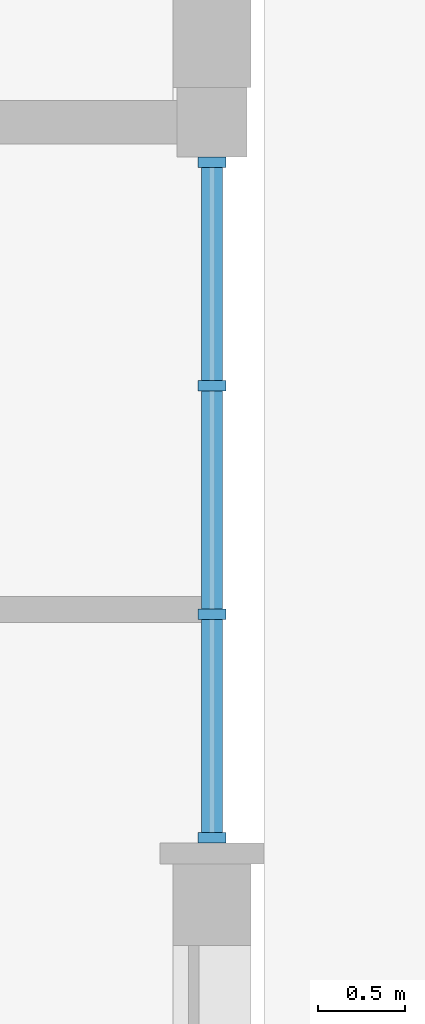
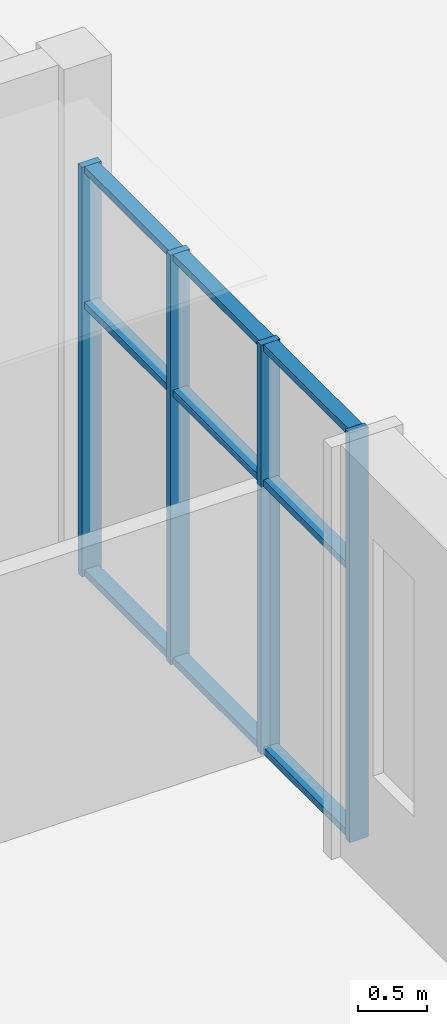
# One storey, part 25 of 60: 13 members, 1 element without a shape of its own.
"""IFC4 building model written with IfcOpenShell, lengths in metres."""

from ifc_helpers import new_model, si_unit, direction, frame, origin, origin_2d, place, context, subcontext, project, spatial, rectangle, extrude, material, material_profile, profile_set, type_object, element, aggregate, save


model = new_model("IFC4")

# Units and contexts
model_context = context("Model", 3, precision=1e-05, world=origin(), true_north=direction((0.0, 1.0)))
body_context = subcontext(model_context, "Body", "Model", "MODEL_VIEW")
ifc_project = project(units=[si_unit("LENGTHUNIT", "METRE"), si_unit("AREAUNIT", "SQUARE_METRE"), si_unit("VOLUMEUNIT", "CUBIC_METRE"), si_unit("PLANEANGLEUNIT", "RADIAN"), si_unit("MASSUNIT", "GRAM", prefix="KILO")], contexts=[model_context])

# Site, building, storey
site_placement = place(None, origin())
site = spatial("IfcSite", under=ifc_project, at=site_placement, CompositionType="ELEMENT")
building_placement = place(site_placement, origin())
building = spatial("IfcBuilding", under=site, at=building_placement, Name="Fescue Hill Polytechnic", CompositionType="ELEMENT")
storey_placement = place(building_placement, frame((0.0, 0.0, 4.5)))
storey = spatial("IfcBuildingStorey", under=building, at=storey_placement, Name="L01", CompositionType="ELEMENT", Elevation=4.5)

# Curtain wall, members
ifc_material_1 = material(Name="Glass", Category="glass")
curtain_wall_type = type_object("IfcCurtainWallType", Name="Curtain wall structural glazing", PredefinedType="NOTDEFINED", material=ifc_material_1)
curtain_wall_placement = place(storey_placement, origin())
curtain_wall = element("IfcCurtainWall", 1, at=curtain_wall_placement, inside=storey, type_object=curtain_wall_type, Name="CW-L01-V2-X1", PredefinedType="NOTDEFINED")
ifc_material_2 = material(Name="Powder-coated aluminium", Category="aluminium")
ifc_material_profile_1 = material_profile(ifc_material_2, rectangle(XDim=0.159912109375, YDim=0.06005859375, at=origin_2d()), Name="Mullion aluminium 60x160")
ifc_profile_set_1 = profile_set([ifc_material_profile_1], Name="Powder-coated aluminium")
member_type_1 = type_object("IfcMemberType", Name="Mullion aluminium 60x160", PredefinedType="MULLION", material=ifc_profile_set_1)
member_1_placement = place(storey_placement, frame((142.800048828125, 88.2900390625, 0.0), z_axis=(0.0, 0.0, 1.0), x_axis=(-1.0, 0.0, 0.0)))
member_1 = element("IfcMember", 2, at=member_1_placement, type_object=member_type_1, Name="CW120 mullion 1", PredefinedType="MULLION", context=body_context, shape_type="SweptSolid", body=[
    extrude(rectangle(XDim=0.159912109375, YDim=0.06005859375, at=origin_2d()), origin(), (0.0, 0.0, 1.0), 3.6298828125),
])
member_2_placement = place(storey_placement, frame((142.800048828125, 89.5732421875, 0.0), z_axis=(0.0, 0.0, 1.0), x_axis=(-1.0, 0.0, 0.0)))
member_2 = element("IfcMember", 3, at=member_2_placement, type_object=member_type_1, Name="CW120 mullion 2", PredefinedType="MULLION", context=body_context, shape_type="SweptSolid", body=[
    extrude(rectangle(XDim=0.159912109375, YDim=0.06005859375, at=origin_2d()), origin(), (0.0, 0.0, 1.0), 3.6298828125),
])
member_3_placement = place(storey_placement, frame((142.800048828125, 90.88671875, 0.0), z_axis=(0.0, 0.0, 1.0), x_axis=(-1.0, 0.0, 0.0)))
member_3 = element("IfcMember", 4, at=member_3_placement, type_object=member_type_1, Name="CW120 mullion 3", PredefinedType="MULLION", context=body_context, shape_type="SweptSolid", body=[
    extrude(rectangle(XDim=0.159912109375, YDim=0.06005859375, at=origin_2d()), origin(), (0.0, 0.0, 1.0), 3.6298828125),
])
member_4_placement = place(storey_placement, frame((142.800048828125, 92.169921875, 0.0), z_axis=(0.0, 0.0, 1.0), x_axis=(-1.0, 0.0, 0.0)))
member_4 = element("IfcMember", 5, at=member_4_placement, type_object=member_type_1, Name="CW120 mullion 4", PredefinedType="MULLION", context=body_context, shape_type="SweptSolid", body=[
    extrude(rectangle(XDim=0.159912109375, YDim=0.06005859375, at=origin_2d()), origin(), (0.0, 0.0, 1.0), 3.6298828125),
])
ifc_material_profile_2 = material_profile(ifc_material_2, rectangle(XDim=0.1201171875, YDim=0.06005859375, at=origin_2d()), Name="Transom aluminium 60x120")
ifc_profile_set_2 = profile_set([ifc_material_profile_2], Name="Powder-coated aluminium")
member_type_2 = type_object("IfcMemberType", Name="Transom aluminium 60x120", PredefinedType="USERDEFINED", material=ifc_profile_set_2)
member_5_placement = place(storey_placement, frame((142.800048828125, 88.320068359375, 0.030029296875), z_axis=(0.0, 1.0, 0.0), x_axis=(-1.0, 0.0, 0.0)))
member_5 = element("IfcMember", 6, at=member_5_placement, type_object=member_type_2, Name="CW120 transom 1.1", ObjectType="TRANSOM", PredefinedType="USERDEFINED", context=body_context, shape_type="SweptSolid", body=[
    extrude(rectangle(XDim=0.1201171875, YDim=0.06005859375, at=origin_2d()), origin(), (0.0, 0.0, 1.0), 1.22314453125),
])
member_6_placement = place(storey_placement, frame((142.800048828125, 88.320068359375, 2.39990234375), z_axis=(0.0, 1.0, 0.0), x_axis=(-1.0, 0.0, 0.0)))
member_6 = element("IfcMember", 7, at=member_6_placement, type_object=member_type_2, Name="CW120 transom 1.2", ObjectType="TRANSOM", PredefinedType="USERDEFINED", context=body_context, shape_type="SweptSolid", body=[
    extrude(rectangle(XDim=0.1201171875, YDim=0.06005859375, at=origin_2d()), origin(), (0.0, 0.0, 1.0), 1.22314453125),
])
member_7_placement = place(storey_placement, frame((142.800048828125, 88.320068359375, 3.60009765625), z_axis=(0.0, 1.0, 0.0), x_axis=(-1.0, 0.0, 0.0)))
member_7 = element("IfcMember", 8, at=member_7_placement, type_object=member_type_2, Name="CW120 transom 1.3", ObjectType="TRANSOM", PredefinedType="USERDEFINED", context=body_context, shape_type="SweptSolid", body=[
    extrude(rectangle(XDim=0.1201171875, YDim=0.06005859375, at=origin_2d()), origin(), (0.0, 0.0, 1.0), 1.22314453125),
])
member_8_placement = place(storey_placement, frame((142.800048828125, 89.603271484375, 0.030029296875), z_axis=(0.0, 1.0, 0.0), x_axis=(-1.0, 0.0, 0.0)))
member_8 = element("IfcMember", 9, at=member_8_placement, type_object=member_type_2, Name="CW120 transom 2.1", ObjectType="TRANSOM", PredefinedType="USERDEFINED", context=body_context, shape_type="SweptSolid", body=[
    extrude(rectangle(XDim=0.1201171875, YDim=0.06005859375, at=origin_2d()), origin(), (0.0, 0.0, 1.0), 1.25341796875),
])
member_9_placement = place(storey_placement, frame((142.800048828125, 89.603271484375, 2.39990234375), z_axis=(0.0, 1.0, 0.0), x_axis=(-1.0, 0.0, 0.0)))
member_9 = element("IfcMember", 10, at=member_9_placement, type_object=member_type_2, Name="CW120 transom 2.2", ObjectType="TRANSOM", PredefinedType="USERDEFINED", context=body_context, shape_type="SweptSolid", body=[
    extrude(rectangle(XDim=0.1201171875, YDim=0.06005859375, at=origin_2d()), origin(), (0.0, 0.0, 1.0), 1.25341796875),
])
member_10_placement = place(storey_placement, frame((142.800048828125, 89.603271484375, 3.60009765625), z_axis=(0.0, 1.0, 0.0), x_axis=(-1.0, 0.0, 0.0)))
member_10 = element("IfcMember", 11, at=member_10_placement, type_object=member_type_2, Name="CW120 transom 2.3", ObjectType="TRANSOM", PredefinedType="USERDEFINED", context=body_context, shape_type="SweptSolid", body=[
    extrude(rectangle(XDim=0.1201171875, YDim=0.06005859375, at=origin_2d()), origin(), (0.0, 0.0, 1.0), 1.25341796875),
])
member_11_placement = place(storey_placement, frame((142.800048828125, 90.916748046875, 0.030029296875), z_axis=(0.0, 1.0, 0.0), x_axis=(-1.0, 0.0, 0.0)))
member_11 = element("IfcMember", 12, at=member_11_placement, type_object=member_type_2, Name="CW120 transom 3.1", ObjectType="TRANSOM", PredefinedType="USERDEFINED", context=body_context, shape_type="SweptSolid", body=[
    extrude(rectangle(XDim=0.1201171875, YDim=0.06005859375, at=origin_2d()), origin(), (0.0, 0.0, 1.0), 1.22314453125),
])
member_12_placement = place(storey_placement, frame((142.800048828125, 90.916748046875, 2.39990234375), z_axis=(0.0, 1.0, 0.0), x_axis=(-1.0, 0.0, 0.0)))
member_12 = element("IfcMember", 13, at=member_12_placement, type_object=member_type_2, Name="CW120 transom 3.2", ObjectType="TRANSOM", PredefinedType="USERDEFINED", context=body_context, shape_type="SweptSolid", body=[
    extrude(rectangle(XDim=0.1201171875, YDim=0.06005859375, at=origin_2d()), origin(), (0.0, 0.0, 1.0), 1.22314453125),
])
member_13_placement = place(storey_placement, frame((142.800048828125, 90.916748046875, 3.60009765625), z_axis=(0.0, 1.0, 0.0), x_axis=(-1.0, 0.0, 0.0)))
member_13 = element("IfcMember", 14, at=member_13_placement, type_object=member_type_2, Name="CW120 transom 3.3", ObjectType="TRANSOM", PredefinedType="USERDEFINED", context=body_context, shape_type="SweptSolid", body=[
    extrude(rectangle(XDim=0.1201171875, YDim=0.06005859375, at=origin_2d()), origin(), (0.0, 0.0, 1.0), 1.22314453125),
])
aggregate(curtain_wall, [member_1, member_2, member_3, member_4, member_5, member_6, member_7, member_8, member_9, member_10, member_11, member_12, member_13])

save(model, "model.ifc")
